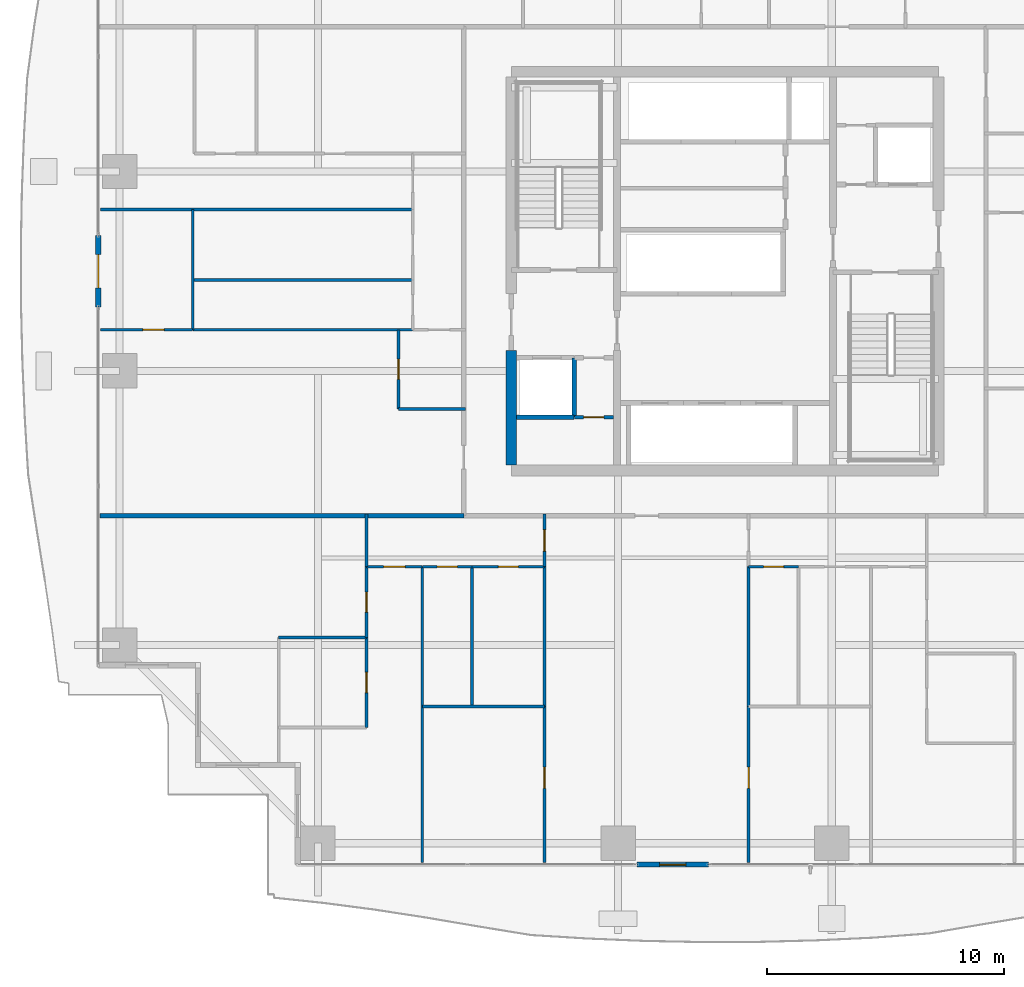
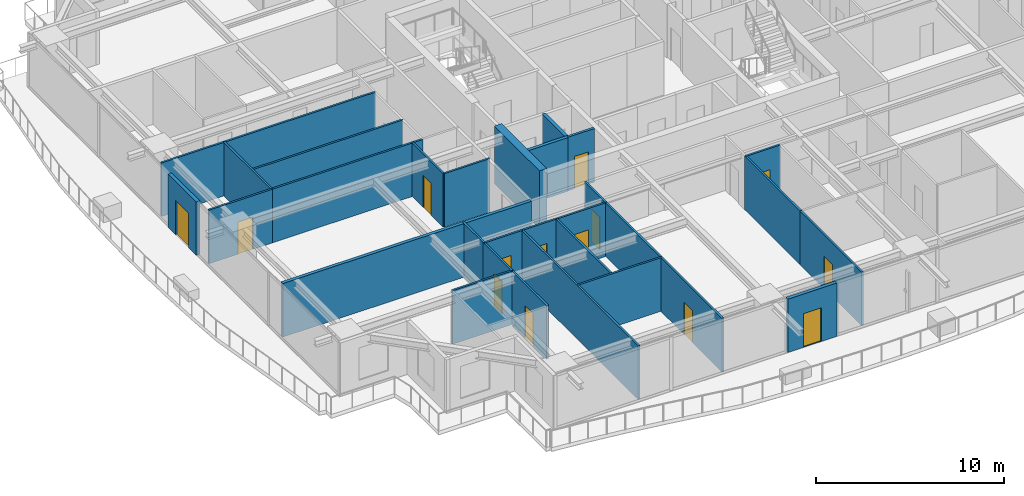
# One storey, part 27 of 41: 30 walls, 14 doors, 14 openings.
"""IFC4 building model written with IfcOpenShell, lengths in metres."""

import ifcopenshell
import ifcopenshell.guid

model = None  # the IFC model being written
_history = None  # IfcOwnerHistory: only IFC2X3 demands one
_inside = {}  # id of a spatial element -> (the spatial element, [elements in it])
_under = {}  # id of a project, library or spatial element -> (it, [spatial elements below it])
_declared = {}  # id of a project -> (the project, [libraries it declares])
_typed = {}  # id of a type object -> (the type object, [elements of that type])
_made_of = {}  # id of a material, layer set ... -> (it, [elements and type objects made of it])


def new_model(schema):
    """Start an empty IFC model of exactly this schema.

    Asked for "IFC4X3", IfcOpenShell would pick the latest addendum, in which some entities
    have other attributes; the version numbers below select the first issue.
    IFC2X3 requires an IfcOwnerHistory on every rooted entity: one is made here for all.
    """
    global model, _history
    if schema == "IFC4X3":
        model = ifcopenshell.file(schema_version=(4, 3, 0, 0))
    else:
        model = ifcopenshell.file(schema=schema)
    _inside.clear()
    _under.clear()
    _declared.clear()
    _typed.clear()
    _made_of.clear()
    _history = None
    if model.schema == "IFC2X3":
        org = make("IfcOrganization", Name="unknown")
        user = make(
            "IfcPersonAndOrganization",
            ThePerson=make("IfcPerson", FamilyName="unknown"),
            TheOrganization=org,
        )
        app = make(
            "IfcApplication",
            ApplicationDeveloper=org,
            Version="unknown",
            ApplicationFullName="unknown",
            ApplicationIdentifier="unknown",
        )
        _history = make(
            "IfcOwnerHistory",
            OwningUser=user,
            OwningApplication=app,
            ChangeAction="ADDED",
            CreationDate=0,
        )
    return model


def make(cls, **values):
    """One entity of the class cls with the attributes given. An attribute that is None is left unset."""
    return model.create_entity(
        cls, **{name: value for name, value in values.items() if value is not None}
    )


def rooted(cls, **values):
    """An entity with a GlobalId (a new one), such as an element, a storey or a relation."""
    return make(cls, GlobalId=ifcopenshell.guid.new(), OwnerHistory=_history, **values)


def si_unit(unit_type, name, prefix=None):
    """IfcSIUnit, for example si_unit("LENGTHUNIT", "METRE", prefix="MILLI")."""
    return make("IfcSIUnit", UnitType=unit_type, Prefix=prefix, Name=name)


def assignment(units):
    """IfcUnitAssignment: the units of a project."""
    return None if units is None else make("IfcUnitAssignment", Units=units)


def point(xyz):
    """IfcCartesianPoint."""
    return None if xyz is None else make("IfcCartesianPoint", Coordinates=xyz)


def direction(xyz):
    """IfcDirection."""
    return None if xyz is None else make("IfcDirection", DirectionRatios=xyz)


def frame(location, z_axis=None, x_axis=None):
    """IfcAxis2Placement3D, a coordinate frame: its origin and axes. An axis left out is left unset."""
    return make(
        "IfcAxis2Placement3D",
        Location=point(location),
        Axis=direction(z_axis),
        RefDirection=direction(x_axis),
    )


def frame_2d(location, x_axis=None):
    """IfcAxis2Placement2D, a coordinate frame in the plane: its origin and x axis."""
    return make(
        "IfcAxis2Placement2D", Location=point(location), RefDirection=direction(x_axis)
    )


def origin():
    """The frame at (0, 0, 0) with its axes left unset."""
    return frame((0.0, 0.0, 0.0))


def place(relative_to, where):
    """IfcLocalPlacement: puts the frame where relative to a parent placement (None: the world)."""
    return make(
        "IfcLocalPlacement", PlacementRelTo=relative_to, RelativePlacement=where
    )


def context(
    kind, dimensions, precision=None, world=None, true_north=None, identifier=None
):
    """IfcGeometricRepresentationContext, for example the 3D "Model" context."""
    return make(
        "IfcGeometricRepresentationContext",
        ContextIdentifier=identifier,
        ContextType=kind,
        CoordinateSpaceDimension=dimensions,
        Precision=precision,
        WorldCoordinateSystem=world,
        TrueNorth=true_north,
    )


def subcontext(parent, identifier, kind, view, scale=None):
    """IfcGeometricRepresentationSubContext, for example "Body" below "Model"."""
    return make(
        "IfcGeometricRepresentationSubContext",
        ContextIdentifier=identifier,
        ContextType=kind,
        ParentContext=parent,
        TargetScale=scale,
        TargetView=view,
    )


def project(units=None, contexts=None):
    """IfcProject with its units and contexts."""
    return rooted(
        "IfcProject",
        Name="project",
        RepresentationContexts=contexts,
        UnitsInContext=assignment(units),
    )


def spatial(cls, under=None, at=None, **own):
    """A site, building, storey or space (cls), placed at a placement, below another one or the project."""
    s = rooted(cls, ObjectPlacement=at, **own)
    if under is not None:
        _under.setdefault(under.id(), (under, []))[1].append(s)
    return s


def profile(cls, at=None, kind="AREA", **sizes):
    """A parametric profile (cls). Its sizes go by their IFC names, for example OverallWidth=200.0."""
    return make(cls, ProfileType=kind, Position=at, **sizes)


def rectangle(**sizes):
    """IfcRectangleProfileDef."""
    return profile("IfcRectangleProfileDef", **sizes)


def extrude(swept, where, along, depth):
    """IfcExtrudedAreaSolid: the profile swept, set in the frame where, extruded along a direction by depth."""
    return make(
        "IfcExtrudedAreaSolid",
        SweptArea=swept,
        Position=where,
        ExtrudedDirection=direction(along),
        Depth=depth,
    )


def shape(context_of_items, identifier, shape_type, items):
    """IfcShapeRepresentation: the items that make up one representation, for example the "Body"."""
    return make(
        "IfcShapeRepresentation",
        ContextOfItems=context_of_items,
        RepresentationIdentifier=identifier,
        RepresentationType=shape_type,
        Items=items,
    )


def source(mapping_origin, context_of_items, identifier, shape_type, items):
    """IfcRepresentationMap: a shape defined once, which mapped items show again and again."""
    return make(
        "IfcRepresentationMap",
        MappingOrigin=mapping_origin,
        MappedRepresentation=shape(context_of_items, identifier, shape_type, items),
    )


def transform(
    local_origin,
    x_axis=None,
    y_axis=None,
    z_axis=None,
    scale=None,
    scale2=None,
    scale3=None,
    uniform=True,
):
    """IfcCartesianTransformationOperator3D, or its non-uniform kind. x_axis, y_axis, z_axis: its Axis1, 2, 3."""
    if uniform:
        return make(
            "IfcCartesianTransformationOperator3D",
            Axis1=direction(x_axis),
            Axis2=direction(y_axis),
            LocalOrigin=point(local_origin),
            Scale=scale,
            Axis3=direction(z_axis),
        )
    return make(
        "IfcCartesianTransformationOperator3DnonUniform",
        Axis1=direction(x_axis),
        Axis2=direction(y_axis),
        LocalOrigin=point(local_origin),
        Scale=scale,
        Axis3=direction(z_axis),
        Scale2=scale2,
        Scale3=scale3,
    )


def mapped(mapping_source, mapping_target):
    """IfcMappedItem: shows the shape of a source again, moved by a transform."""
    return make(
        "IfcMappedItem", MappingSource=mapping_source, MappingTarget=mapping_target
    )


def material(Name=None, Category=None):
    """IfcMaterial."""
    return make("IfcMaterial", Name=Name, Category=Category)


def layer(
    of_material, thickness, ventilated=None, Name=None, Category=None, Priority=None
):
    """IfcMaterialLayer: one layer of a wall or slab, of a material (None: an air gap)."""
    return make(
        "IfcMaterialLayer",
        Material=of_material,
        LayerThickness=thickness,
        IsVentilated=ventilated,
        Name=Name,
        Category=Category,
        Priority=Priority,
    )


def layer_set(layers, Name=None):
    """IfcMaterialLayerSet."""
    return make("IfcMaterialLayerSet", MaterialLayers=layers, LayerSetName=Name)


def made_of(thing, what):
    """Note that an element or type object is made of a material, layer set ...; save() writes the relation."""
    if what is not None:
        _made_of.setdefault(what.id(), (what, []))[1].append(thing)
    return thing


def type_object(cls, material=None, **own):
    """A type object (cls), such as IfcWallType, which elements share."""
    return made_of(rooted(cls, **own), material)


def element(
    cls,
    number,
    at=None,
    inside=None,
    cuts=None,
    type_object=None,
    material=None,
    context=None,
    identifier="Body",
    shape_type=None,
    held_by="IfcProductDefinitionShape",
    body=None,
    shapes=None,
    **own,
):
    """One element of the class cls, such as IfcWall. Its Tag is "e" and its number.

    at: its placement. inside: the storey or other place that contains it. cuts: it is an
    opening in that element (IfcRelVoidsElement). A single representation is given by context,
    identifier, shape_type and body (its items); several are given by shapes. held_by: the class
    of the entity that holds the representations. save() writes the other relations.
    """
    e = rooted(cls, Tag="e%d" % number, ObjectPlacement=at, **own)
    if body is not None:
        shapes = [shape(context, identifier, shape_type, body)]
    if shapes is not None:
        e.Representation = make(held_by, Representations=shapes)
    if inside is not None:
        _inside.setdefault(inside.id(), (inside, []))[1].append(e)
    if cuts is not None:
        rooted(
            "IfcRelVoidsElement", RelatingBuildingElement=cuts, RelatedOpeningElement=e
        )
    if type_object is not None:
        _typed.setdefault(type_object.id(), (type_object, []))[1].append(e)
    return made_of(e, material)


def fill(opening, filler):
    """IfcRelFillsElement: the door or window that sits in an opening."""
    return rooted(
        "IfcRelFillsElement",
        RelatingOpeningElement=opening,
        RelatedBuildingElement=filler,
    )


def aggregate(whole, parts):
    """IfcRelAggregates: a whole, such as a stair, and the parts it consists of."""
    return rooted("IfcRelAggregates", RelatingObject=whole, RelatedObjects=parts)


def save(model, path):
    """Write the relations noted so far, then the file.

    IfcRelAggregates (storeys below a building ...), IfcRelContainedInSpatialStructure (elements
    in a storey), IfcRelDefinesByType, IfcRelAssociatesMaterial and IfcRelDeclares: one each for
    every whole, place, type object, material and project.
    """
    for whole, parts in _under.values():
        aggregate(whole, parts)
    for where, things in _inside.values():
        rooted(
            "IfcRelContainedInSpatialStructure",
            RelatedElements=things,
            RelatingStructure=where,
        )
    for kind, things in _typed.values():
        rooted("IfcRelDefinesByType", RelatedObjects=things, RelatingType=kind)
    for what, things in _made_of.values():
        rooted("IfcRelAssociatesMaterial", RelatedObjects=things, RelatingMaterial=what)
    for by, libraries in _declared.values():
        rooted("IfcRelDeclares", RelatingContext=by, RelatedDefinitions=libraries)
    model.write(path)


model = new_model("IFC4")

# Units and contexts
model_context = context("Model", 3, precision=1e-05, world=origin(), true_north=direction((0.0, 1.0)))
body_context = subcontext(model_context, "Body", "Model", "MODEL_VIEW")
ifc_project = project(units=[si_unit("LENGTHUNIT", "METRE"), si_unit("AREAUNIT", "SQUARE_METRE"), si_unit("VOLUMEUNIT", "CUBIC_METRE"), si_unit("PLANEANGLEUNIT", "RADIAN"), si_unit("MASSUNIT", "GRAM", prefix="KILO")], contexts=[model_context])

# Site, building, storey
site_placement = place(None, origin())
site = spatial("IfcSite", under=ifc_project, at=site_placement, CompositionType="ELEMENT")
building_placement = place(site_placement, origin())
building = spatial("IfcBuilding", under=site, at=building_placement, Name="Serunith Strait Residences", CompositionType="ELEMENT")
storey_placement = place(building_placement, frame((0.0, 0.0, 75.449951171875)))
storey = spatial("IfcBuildingStorey", under=building, at=storey_placement, Name="L18", CompositionType="ELEMENT", Elevation=75.449951171875)

# Wall, opening, door
ifc_material_1 = material(Name="Pale-Champagne Aluminium Insulated Panel", Category="aluminium")
ifc_layer_1 = layer(ifc_material_1, 0.219970703125, Name="Pale-Champagne Aluminium Insulated Panel")
ifc_layer_set_1 = layer_set([ifc_layer_1], Name="Pale-Champagne Aluminium Insulated Panel")
wall_type_1 = type_object("IfcWallType", Name="EW-ALUM-220", PredefinedType="ELEMENTEDWALL", material=ifc_layer_set_1)
wall_1_placement = place(storey_placement, frame((28.699951171875, 0.199951171875, 0.0), z_axis=(0.0, 0.0, 1.0), x_axis=(1.0, 0.0, 0.0)))
wall_1 = element("IfcWall", 1, at=wall_1_placement, inside=storey, type_object=wall_type_1, Name="L18 S Facade Pier Wall", PredefinedType="ELEMENTEDWALL", context=body_context, shape_type="SweptSolid", body=[
    extrude(rectangle(XDim=3.0, YDim=0.219970703125, at=frame_2d((1.5, 0.0))), origin(), (0.0, 0.0, 1.0), 3.47509765625),
])
opening_1_placement = place(wall_1_placement, frame((0.949951171875, 0.0, 0.0)))
opening_1 = element("IfcOpeningElement", 2, at=opening_1_placement, cuts=wall_1, Name="Opening ED-03", PredefinedType="OPENING", context=body_context, shape_type="SweptSolid", body=[
    extrude(rectangle(XDim=1.10009765625, YDim=2.199951171875, at=frame_2d((0.550048828125, 1.10009765625))), frame((0.0, 0.1201171875, 0.0), z_axis=(0.0, -1.0, 0.0), x_axis=(1.0, 0.0, 0.0)), (0.0, 0.0, 1.0), 0.239990234375),
])
ifc_material_2 = material(Name="Thermally-Broken Aluminium Glazed Balcony Door", Category="aluminium")
door_type_1 = type_object("IfcDoorType", Name="ED-BALC-1100", OperationType="NOTDEFINED", PredefinedType="DOOR", material=ifc_material_2)
shared_shape_1 = source(origin(), body_context, "Body", "SweptSolid", [
    extrude(rectangle(XDim=1.10009765625, YDim=2.199951171875, at=frame_2d((0.550048828125, 1.10009765625))), frame((0.0, 0.02490234375, 0.0), z_axis=(0.0, -1.0, 0.0), x_axis=(1.0, 0.0, 0.0)), (0.0, 0.0, 1.0), 0.050048828125),
])
door_1_placement = place(opening_1_placement, origin())
door_1 = element("IfcDoor", 3, at=door_1_placement, inside=storey, type_object=door_type_1, Name="L18 S Vertical-Forest Balcony Door", OperationType="SINGLE_SWING_LEFT", OverallHeight=2.199951171875, OverallWidth=1.10009765625, PredefinedType="DOOR", context=body_context, shape_type="MappedRepresentation", body=[
    mapped(shared_shape_1, transform((0.0, 0.0, 0.0), scale=1.0)),
])
fill(opening_1, door_1)

wall_2_placement = place(storey_placement, frame((6.0, 26.699951171875, 0.0), z_axis=(0.0, 0.0, 1.0), x_axis=(0.0, -1.0, 0.0)))
wall_2 = element("IfcWall", 4, at=wall_2_placement, inside=storey, type_object=wall_type_1, Name="L18 W Facade Pier Wall", PredefinedType="ELEMENTEDWALL", context=body_context, shape_type="SweptSolid", body=[
    extrude(rectangle(XDim=3.0, YDim=0.219970703125, at=frame_2d((1.5, 0.0))), origin(), (0.0, 0.0, 1.0), 3.47509765625),
])
opening_2_placement = place(wall_2_placement, frame((0.800048828125, 0.0, 0.0)))
opening_2 = element("IfcOpeningElement", 5, at=opening_2_placement, cuts=wall_2, Name="Opening ED-04", PredefinedType="OPENING", context=body_context, shape_type="SweptSolid", body=[
    extrude(rectangle(XDim=1.39990234375, YDim=2.25, at=frame_2d((0.699951171875, 1.125))), frame((0.0, 0.1201171875, 0.0), z_axis=(0.0, -1.0, 0.0), x_axis=(1.0, 0.0, 0.0)), (0.0, 0.0, 1.0), 0.239990234375),
])
ifc_material_3 = material(Name="Thermally-Broken Aluminium Sliding Balcony Door", Category="aluminium")
door_type_2 = type_object("IfcDoorType", Name="ED-BALC-1400", OperationType="NOTDEFINED", PredefinedType="DOOR", material=ifc_material_3)
shared_shape_2 = source(origin(), body_context, "Body", "SweptSolid", [
    extrude(rectangle(XDim=1.39990234375, YDim=2.25, at=frame_2d((0.699951171875, 1.125))), frame((0.0, 0.02490234375, 0.0), z_axis=(0.0, -1.0, 0.0), x_axis=(1.0, 0.0, 0.0)), (0.0, 0.0, 1.0), 0.050048828125),
])
door_2_placement = place(opening_2_placement, origin())
door_2 = element("IfcDoor", 6, at=door_2_placement, inside=storey, type_object=door_type_2, Name="L18 W Vertical-Forest Balcony Door", OperationType="SLIDING_TO_LEFT", OverallHeight=2.25, OverallWidth=1.39990234375, PredefinedType="DOOR", context=body_context, shape_type="MappedRepresentation", body=[
    mapped(shared_shape_2, transform((0.0, 0.0, 0.0), scale=1.0)),
])
fill(opening_2, door_2)

ifc_material_4 = material(Name="Fire-rated masonry service closet wall", Category="masonry")
ifc_layer_2 = layer(ifc_material_4, 0.14990234375, Name="Fire-rated masonry service closet wall")
ifc_layer_set_2 = layer_set([ifc_layer_2], Name="Fire-rated masonry service closet wall")
wall_type_2 = type_object("IfcWallType", Name="IW-BOH-150", PredefinedType="PARTITIONING", material=ifc_layer_set_2)
wall_3_placement = place(storey_placement, frame((26.052001953125, 19.050048828125, 0.0), z_axis=(0.0, 0.0, 1.0), x_axis=(1.0, 0.0, 0.0)))
wall_3 = element("IfcWall", 7, at=wall_3_placement, inside=storey, type_object=wall_type_2, Name="L18 Partition Wall 012", PredefinedType="PARTITIONING", context=body_context, shape_type="SweptSolid", body=[
    extrude(rectangle(XDim=1.64794921875, YDim=0.14990234375, at=frame_2d((0.823974609375, 0.0))), origin(), (0.0, 0.0, 1.0), 3.489990234375),
])
opening_3_placement = place(wall_3_placement, frame((0.39892578125, 0.0, 0.0)))
opening_3 = element("IfcOpeningElement", 8, at=opening_3_placement, cuts=wall_3, Name="Opening FD-850", PredefinedType="OPENING", context=body_context, shape_type="SweptSolid", body=[
    extrude(rectangle(XDim=0.85009765625, YDim=2.10009765625, at=frame_2d((0.425048828125, 1.050048828125))), frame((0.0, 0.0849609375, 0.0), z_axis=(0.0, -1.0, 0.0), x_axis=(1.0, 0.0, 0.0)), (0.0, 0.0, 1.0), 0.169921875),
])
ifc_material_5 = material(Name="Powder-coated steel service closet door", Category="steel")
door_type_3 = type_object("IfcDoorType", Name="FD-BOH-850", OperationType="NOTDEFINED", PredefinedType="DOOR", material=ifc_material_5)
shared_shape_3 = source(origin(), body_context, "Body", "SweptSolid", [
    extrude(rectangle(XDim=0.85009765625, YDim=2.10009765625, at=frame_2d((0.425048828125, 1.050048828125))), frame((0.0, 0.02490234375, 0.0), z_axis=(0.0, -1.0, 0.0), x_axis=(1.0, 0.0, 0.0)), (0.0, 0.0, 1.0), 0.050048828125),
])
door_3_placement = place(opening_3_placement, origin())
door_3 = element("IfcDoor", 9, at=door_3_placement, inside=storey, type_object=door_type_3, Name="L18 Water Meter Door", OperationType="SINGLE_SWING_RIGHT", OverallHeight=2.10009765625, OverallWidth=0.85009765625, PredefinedType="DOOR", context=body_context, shape_type="MappedRepresentation", body=[
    mapped(shared_shape_3, transform((0.0, 0.0, 0.0), scale=1.0)),
])
fill(opening_3, door_3)

ifc_material_6 = material(Name="Lightweight steel-stud gypsum partition", Category="steel")
ifc_layer_3 = layer(ifc_material_6, 0.1201171875, Name="Lightweight steel-stud gypsum partition")
ifc_layer_set_3 = layer_set([ifc_layer_3], Name="Lightweight steel-stud gypsum partition")
wall_type_3 = type_object("IfcWallType", Name="IW-PART-120", PredefinedType="PARTITIONING", material=ifc_layer_set_3)
wall_4_placement = place(storey_placement, frame((24.800048828125, 12.75, 0.0), z_axis=(0.0, 0.0, 1.0), x_axis=(0.0, 1.0, 0.0)))
wall_4 = element("IfcWall", 10, at=wall_4_placement, inside=storey, type_object=wall_type_3, Name="L18 Partition Wall 025", PredefinedType="PARTITIONING", context=body_context, shape_type="SweptSolid", body=[
    extrude(rectangle(XDim=2.2099609375, YDim=0.1201171875, at=frame_2d((1.10498046875, 0.0))), origin(), (0.0, 0.0, 1.0), 3.489990234375),
])
opening_4_placement = place(wall_4_placement, frame((0.655029296875, 0.0, 0.0)))
opening_4 = element("IfcOpeningElement", 11, at=opening_4_placement, cuts=wall_4, Name="Opening D-RM900", PredefinedType="OPENING", context=body_context, shape_type="SweptSolid", body=[
    extrude(rectangle(XDim=0.89990234375, YDim=2.10009765625, at=frame_2d((0.449951171875, 1.050048828125))), frame((0.0, 0.070068359375, 0.0), z_axis=(0.0, -1.0, 0.0), x_axis=(1.0, 0.0, 0.0)), (0.0, 0.0, 1.0), 0.14013671875),
])
ifc_material_7 = material(Name="Engineered timber flush bedroom door", Category="wood")
door_type_4 = type_object("IfcDoorType", Name="ID-ROOM-900", OperationType="NOTDEFINED", PredefinedType="DOOR", material=ifc_material_7)
shared_shape_4 = source(origin(), body_context, "Body", "SweptSolid", [
    extrude(rectangle(XDim=0.89990234375, YDim=2.10009765625, at=frame_2d((0.449951171875, 1.050048828125))), frame((0.0, 0.02490234375, 0.0), z_axis=(0.0, -1.0, 0.0), x_axis=(1.0, 0.0, 0.0)), (0.0, 0.0, 1.0), 0.050048828125),
])
door_4_placement = place(opening_4_placement, origin())
door_4 = element("IfcDoor", 12, at=door_4_placement, inside=storey, type_object=door_type_4, Name="L18 Hall W 1801 Door", OperationType="SINGLE_SWING_RIGHT", OverallHeight=2.10009765625, OverallWidth=0.89990234375, PredefinedType="DOOR", context=body_context, shape_type="MappedRepresentation", body=[
    mapped(shared_shape_4, transform((0.0, 0.0, 0.0), scale=1.0)),
])
fill(opening_4, door_4)

wall_5_placement = place(storey_placement, frame((24.800048828125, 0.294921875, 0.0), z_axis=(0.0, 0.0, 1.0), x_axis=(0.0, 1.0, 0.0)))
wall_5 = element("IfcWall", 13, at=wall_5_placement, inside=storey, type_object=wall_type_3, Name="L18 Partition Wall 026", PredefinedType="PARTITIONING", context=body_context, shape_type="SweptSolid", body=[
    extrude(rectangle(XDim=6.565185546875, YDim=0.1201171875, at=frame_2d((3.28271484375, 0.0))), origin(), (0.0, 0.0, 1.0), 3.489990234375),
])
opening_5_placement = place(wall_5_placement, frame((3.115966796875, 0.0, 0.0)))
opening_5 = element("IfcOpeningElement", 14, at=opening_5_placement, cuts=wall_5, Name="Opening D-RM900", PredefinedType="OPENING", context=body_context, shape_type="SweptSolid", body=[
    extrude(rectangle(XDim=0.89990234375, YDim=2.10009765625, at=frame_2d((0.449951171875, 1.050048828125))), frame((0.0, 0.070068359375, 0.0), z_axis=(0.0, -1.0, 0.0), x_axis=(1.0, 0.0, 0.0)), (0.0, 0.0, 1.0), 0.14013671875),
])
door_5_placement = place(opening_5_placement, origin())
door_5 = element("IfcDoor", 15, at=door_5_placement, inside=storey, type_object=door_type_4, Name="L18 Formal Dining Room 1 1801 Door", OperationType="SINGLE_SWING_LEFT", OverallHeight=2.10009765625, OverallWidth=0.89990234375, PredefinedType="DOOR", context=body_context, shape_type="MappedRepresentation", body=[
    mapped(shared_shape_4, transform((0.0, 0.0, 0.0), scale=1.0)),
])
fill(opening_5, door_5)

# Walls
wall_6_placement = place(storey_placement, frame((24.800048828125, 6.862060546875, 0.0), z_axis=(0.0, 0.0, 1.0), x_axis=(0.0, 1.0, 0.0)))
element("IfcWall", 16, at=wall_6_placement, inside=storey, type_object=wall_type_3, Name="L18 Partition Wall 027", PredefinedType="PARTITIONING", context=body_context, shape_type="SweptSolid", body=[
    extrude(rectangle(XDim=5.885986328125, YDim=0.1201171875, at=frame_2d((2.94287109375, 0.0))), origin(), (0.0, 0.0, 1.0), 3.489990234375),
])
wall_7_placement = place(storey_placement, frame((19.64990234375, 6.860107421875, 0.0), z_axis=(0.0, 0.0, 1.0), x_axis=(1.0, 0.0, 0.0)))
element("IfcWall", 17, at=wall_7_placement, inside=storey, type_object=wall_type_3, Name="L18 Partition Wall 028", PredefinedType="PARTITIONING", context=body_context, shape_type="SweptSolid", body=[
    extrude(rectangle(XDim=5.150146484375, YDim=0.1201171875, at=frame_2d((2.5751953125, 0.0))), origin(), (0.0, 0.0, 1.0), 3.489990234375),
])
wall_8_placement = place(storey_placement, frame((19.64990234375, 0.294921875, 0.0), z_axis=(0.0, 0.0, 1.0), x_axis=(0.0, 1.0, 0.0)))
element("IfcWall", 18, at=wall_8_placement, inside=storey, type_object=wall_type_3, Name="L18 Partition Wall 029", PredefinedType="PARTITIONING", context=body_context, shape_type="SweptSolid", body=[
    extrude(rectangle(XDim=12.455078125, YDim=0.1201171875, at=frame_2d((6.2275390625, 0.0))), origin(), (0.0, 0.0, 1.0), 3.489990234375),
])
wall_9_placement = place(storey_placement, frame((21.75, 6.860107421875, 0.0), z_axis=(0.0, 0.0, 1.0), x_axis=(0.0, 1.0, 0.0)))
element("IfcWall", 19, at=wall_9_placement, inside=storey, type_object=wall_type_3, Name="L18 Partition Wall 030", PredefinedType="PARTITIONING", context=body_context, shape_type="SweptSolid", body=[
    extrude(rectangle(XDim=5.889892578125, YDim=0.1201171875, at=frame_2d((2.94482421875, 0.0))), origin(), (0.0, 0.0, 1.0), 3.489990234375),
])

# Wall, opening, door
wall_10_placement = place(storey_placement, frame((19.64990234375, 12.75, 0.0), z_axis=(0.0, 0.0, 1.0), x_axis=(1.0, 0.0, 0.0)))
wall_10 = element("IfcWall", 20, at=wall_10_placement, inside=storey, type_object=wall_type_3, Name="L18 Partition Wall 031", PredefinedType="PARTITIONING", context=body_context, shape_type="SweptSolid", body=[
    extrude(rectangle(XDim=2.10009765625, YDim=0.1201171875, at=frame_2d((1.050048828125, 0.0))), origin(), (0.0, 0.0, 1.0), 3.489990234375),
])
opening_6_placement = place(wall_10_placement, frame((0.625, 0.0, 0.0)))
opening_6 = element("IfcOpeningElement", 21, at=opening_6_placement, cuts=wall_10, Name="Opening D-BTH850", PredefinedType="OPENING", context=body_context, shape_type="SweptSolid", body=[
    extrude(rectangle(XDim=0.85009765625, YDim=2.10009765625, at=frame_2d((0.425048828125, 1.050048828125))), frame((0.0, 0.070068359375, 0.0), z_axis=(0.0, -1.0, 0.0), x_axis=(1.0, 0.0, 0.0)), (0.0, 0.0, 1.0), 0.14013671875),
])
ifc_material_8 = material(Name="Moisture-resistant timber bathroom door", Category="wood")
door_type_5 = type_object("IfcDoorType", Name="ID-BATH-850", OperationType="NOTDEFINED", PredefinedType="DOOR", material=ifc_material_8)
door_6_placement = place(opening_6_placement, origin())
door_6 = element("IfcDoor", 22, at=door_6_placement, inside=storey, type_object=door_type_5, Name="L18 Bathroom 1801 Door", OperationType="SINGLE_SWING_RIGHT", OverallHeight=2.10009765625, OverallWidth=0.85009765625, PredefinedType="DOOR", context=body_context, shape_type="MappedRepresentation", body=[
    mapped(shared_shape_3, transform((0.0, 0.0, 0.0), scale=1.0)),
])
fill(opening_6, door_6)

wall_11_placement = place(storey_placement, frame((21.751953125, 12.75, 0.0), z_axis=(0.0, 0.0, 1.0), x_axis=(1.0, 0.0, 0.0)))
wall_11 = element("IfcWall", 23, at=wall_11_placement, inside=storey, type_object=wall_type_3, Name="L18 Partition Wall 032", PredefinedType="PARTITIONING", context=body_context, shape_type="SweptSolid", body=[
    extrude(rectangle(XDim=3.048095703125, YDim=0.1201171875, at=frame_2d((1.52392578125, 0.0))), origin(), (0.0, 0.0, 1.0), 3.489990234375),
])
opening_7_placement = place(wall_11_placement, frame((1.09912109375, 0.0, 0.0)))
opening_7 = element("IfcOpeningElement", 24, at=opening_7_placement, cuts=wall_11, Name="Opening D-RM850", PredefinedType="OPENING", context=body_context, shape_type="SweptSolid", body=[
    extrude(rectangle(XDim=0.85009765625, YDim=2.10009765625, at=frame_2d((0.425048828125, 1.050048828125))), frame((0.0, 0.070068359375, 0.0), z_axis=(0.0, -1.0, 0.0), x_axis=(1.0, 0.0, 0.0)), (0.0, 0.0, 1.0), 0.14013671875),
])
ifc_material_9 = material(Name="Engineered timber flush study and kitchen door", Category="wood")
door_type_6 = type_object("IfcDoorType", Name="ID-ROOM-850", OperationType="NOTDEFINED", PredefinedType="DOOR", material=ifc_material_9)
door_7_placement = place(opening_7_placement, origin())
door_7 = element("IfcDoor", 25, at=door_7_placement, inside=storey, type_object=door_type_6, Name="L18 Kitchen 1801 Door", OperationType="SINGLE_SWING_LEFT", OverallHeight=2.10009765625, OverallWidth=0.85009765625, PredefinedType="DOOR", context=body_context, shape_type="MappedRepresentation", body=[
    mapped(shared_shape_3, transform((0.0, 0.0, 0.0), scale=1.0)),
])
fill(opening_7, door_7)

wall_12_placement = place(storey_placement, frame((17.300048828125, 12.75, 0.0), z_axis=(0.0, 0.0, 1.0), x_axis=(1.0, 0.0, 0.0)))
wall_12 = element("IfcWall", 26, at=wall_12_placement, inside=storey, type_object=wall_type_3, Name="L18 Partition Wall 033", PredefinedType="PARTITIONING", context=body_context, shape_type="SweptSolid", body=[
    extrude(rectangle(XDim=2.347900390625, YDim=0.1201171875, at=frame_2d((1.173828125, 0.0))), origin(), (0.0, 0.0, 1.0), 3.489990234375),
])
opening_8_placement = place(wall_12_placement, frame((0.72412109375, 0.0, 0.0)))
opening_8 = element("IfcOpeningElement", 27, at=opening_8_placement, cuts=wall_12, Name="Opening D-RM900", PredefinedType="OPENING", context=body_context, shape_type="SweptSolid", body=[
    extrude(rectangle(XDim=0.89990234375, YDim=2.10009765625, at=frame_2d((0.449951171875, 1.050048828125))), frame((0.0, 0.070068359375, 0.0), z_axis=(0.0, -1.0, 0.0), x_axis=(1.0, 0.0, 0.0)), (0.0, 0.0, 1.0), 0.14013671875),
])
door_8_placement = place(opening_8_placement, origin())
door_8 = element("IfcDoor", 28, at=door_8_placement, inside=storey, type_object=door_type_4, Name="L18 Master Bedroom W 1801 Door", OperationType="SINGLE_SWING_RIGHT", OverallHeight=2.10009765625, OverallWidth=0.89990234375, PredefinedType="DOOR", context=body_context, shape_type="MappedRepresentation", body=[
    mapped(shared_shape_4, transform((0.0, 0.0, 0.0), scale=1.0)),
])
fill(opening_8, door_8)

# Wall
wall_13_placement = place(storey_placement, frame((13.60009765625, 9.761962890625, 0.0), z_axis=(0.0, 0.0, 1.0), x_axis=(1.0, 0.0, 0.0)))
element("IfcWall", 29, at=wall_13_placement, inside=storey, type_object=wall_type_3, Name="L18 Partition Wall 036", PredefinedType="PARTITIONING", context=body_context, shape_type="SweptSolid", body=[
    extrude(rectangle(XDim=3.699951171875, YDim=0.1201171875, at=frame_2d((1.85009765625, 0.0))), origin(), (0.0, 0.0, 1.0), 3.489990234375),
])

# Wall, opening, door
wall_14_placement = place(storey_placement, frame((17.300048828125, 5.97802734375, 0.0), z_axis=(0.0, 0.0, 1.0), x_axis=(0.0, 1.0, 0.0)))
wall_14 = element("IfcWall", 30, at=wall_14_placement, inside=storey, type_object=wall_type_3, Name="L18 Partition Wall 037", PredefinedType="PARTITIONING", context=body_context, shape_type="SweptSolid", body=[
    extrude(rectangle(XDim=3.783935546875, YDim=0.1201171875, at=frame_2d((1.89208984375, 0.0))), origin(), (0.0, 0.0, 1.0), 3.489990234375),
])
opening_9_placement = place(wall_14_placement, frame((1.467041015625, 0.0, 0.0)))
opening_9 = element("IfcOpeningElement", 31, at=opening_9_placement, cuts=wall_14, Name="Opening D-BTH850", PredefinedType="OPENING", context=body_context, shape_type="SweptSolid", body=[
    extrude(rectangle(XDim=0.85009765625, YDim=2.10009765625, at=frame_2d((0.425048828125, 1.050048828125))), frame((0.0, 0.070068359375, 0.0), z_axis=(0.0, -1.0, 0.0), x_axis=(1.0, 0.0, 0.0)), (0.0, 0.0, 1.0), 0.14013671875),
])
door_9_placement = place(opening_9_placement, origin())
door_9 = element("IfcDoor", 32, at=door_9_placement, inside=storey, type_object=door_type_5, Name="L18 En-suite Bathroom W 1801 Door", OperationType="SINGLE_SWING_LEFT", OverallHeight=2.10009765625, OverallWidth=0.85009765625, PredefinedType="DOOR", context=body_context, shape_type="MappedRepresentation", body=[
    mapped(shared_shape_3, transform((0.0, 0.0, 0.0), scale=1.0)),
])
fill(opening_9, door_9)

wall_15_placement = place(storey_placement, frame((17.300048828125, 9.763916015625, 0.0), z_axis=(0.0, 0.0, 1.0), x_axis=(0.0, 1.0, 0.0)))
wall_15 = element("IfcWall", 33, at=wall_15_placement, inside=storey, type_object=wall_type_3, Name="L18 Partition Wall 038", PredefinedType="PARTITIONING", context=body_context, shape_type="SweptSolid", body=[
    extrude(rectangle(XDim=2.986083984375, YDim=0.1201171875, at=frame_2d((1.4931640625, 0.0))), origin(), (0.0, 0.0, 1.0), 3.489990234375),
])
opening_10_placement = place(wall_15_placement, frame((1.068115234375, 0.0, 0.0)))
opening_10 = element("IfcOpeningElement", 34, at=opening_10_placement, cuts=wall_15, Name="Opening D-RM850", PredefinedType="OPENING", context=body_context, shape_type="SweptSolid", body=[
    extrude(rectangle(XDim=0.85009765625, YDim=2.10009765625, at=frame_2d((0.425048828125, 1.050048828125))), frame((0.0, 0.070068359375, 0.0), z_axis=(0.0, -1.0, 0.0), x_axis=(1.0, 0.0, 0.0)), (0.0, 0.0, 1.0), 0.14013671875),
])
door_10_placement = place(opening_10_placement, origin())
door_10 = element("IfcDoor", 35, at=door_10_placement, inside=storey, type_object=door_type_6, Name="L18 Wardrobe W 1801 Door", OperationType="SINGLE_SWING_RIGHT", OverallHeight=2.10009765625, OverallWidth=0.85009765625, PredefinedType="DOOR", context=body_context, shape_type="MappedRepresentation", body=[
    mapped(shared_shape_3, transform((0.0, 0.0, 0.0), scale=1.0)),
])
fill(opening_10, door_10)

# Wall
wall_16_placement = place(storey_placement, frame((17.300048828125, 12.751953125, 0.0), z_axis=(0.0, 0.0, 1.0), x_axis=(0.0, 1.0, 0.0)))
element("IfcWall", 36, at=wall_16_placement, inside=storey, type_object=wall_type_3, Name="L18 Partition Wall 039", PredefinedType="PARTITIONING", context=body_context, shape_type="SweptSolid", body=[
    extrude(rectangle(XDim=2.2080078125, YDim=0.1201171875, at=frame_2d((1.10400390625, 0.0))), origin(), (0.0, 0.0, 1.0), 3.489990234375),
])

# Wall, opening, door
wall_17_placement = place(storey_placement, frame((33.39990234375, 0.294921875, 0.0), z_axis=(0.0, 0.0, 1.0), x_axis=(0.0, 1.0, 0.0)))
wall_17 = element("IfcWall", 37, at=wall_17_placement, inside=storey, type_object=wall_type_3, Name="L18 Partition Wall 041", PredefinedType="PARTITIONING", context=body_context, shape_type="SweptSolid", body=[
    extrude(rectangle(XDim=6.565185546875, YDim=0.1201171875, at=frame_2d((3.28271484375, 0.0))), origin(), (0.0, 0.0, 1.0), 3.489990234375),
])
opening_11_placement = place(wall_17_placement, frame((3.115966796875, 0.0, 0.0)))
opening_11 = element("IfcOpeningElement", 38, at=opening_11_placement, cuts=wall_17, Name="Opening D-RM900", PredefinedType="OPENING", context=body_context, shape_type="SweptSolid", body=[
    extrude(rectangle(XDim=0.89990234375, YDim=2.10009765625, at=frame_2d((0.449951171875, 1.050048828125))), frame((0.0, 0.070068359375, 0.0), z_axis=(0.0, -1.0, 0.0), x_axis=(1.0, 0.0, 0.0)), (0.0, 0.0, 1.0), 0.14013671875),
])
door_11_placement = place(opening_11_placement, origin())
door_11 = element("IfcDoor", 39, at=door_11_placement, inside=storey, type_object=door_type_4, Name="L18 Formal Dining Room 3 1801 Door", OperationType="SINGLE_SWING_RIGHT", OverallHeight=2.10009765625, OverallWidth=0.89990234375, PredefinedType="DOOR", context=body_context, shape_type="MappedRepresentation", body=[
    mapped(shared_shape_4, transform((0.0, 0.0, 0.0), scale=1.0)),
])
fill(opening_11, door_11)

# Wall
wall_18_placement = place(storey_placement, frame((33.39990234375, 6.862060546875, 0.0), z_axis=(0.0, 0.0, 1.0), x_axis=(0.0, 1.0, 0.0)))
element("IfcWall", 40, at=wall_18_placement, inside=storey, type_object=wall_type_3, Name="L18 Partition Wall 042", PredefinedType="PARTITIONING", context=body_context, shape_type="SweptSolid", body=[
    extrude(rectangle(XDim=5.885986328125, YDim=0.1201171875, at=frame_2d((2.94287109375, 0.0))), origin(), (0.0, 0.0, 1.0), 3.489990234375),
])

# Wall, opening, door
wall_19_placement = place(storey_placement, frame((33.39990234375, 12.75, 0.0), z_axis=(0.0, 0.0, 1.0), x_axis=(1.0, 0.0, 0.0)))
wall_19 = element("IfcWall", 41, at=wall_19_placement, inside=storey, type_object=wall_type_3, Name="L18 Partition Wall 046", PredefinedType="PARTITIONING", context=body_context, shape_type="SweptSolid", body=[
    extrude(rectangle(XDim=2.10009765625, YDim=0.1201171875, at=frame_2d((1.050048828125, 0.0))), origin(), (0.0, 0.0, 1.0), 3.489990234375),
])
opening_12_placement = place(wall_19_placement, frame((0.625, 0.0, 0.0)))
opening_12 = element("IfcOpeningElement", 42, at=opening_12_placement, cuts=wall_19, Name="Opening D-RM850", PredefinedType="OPENING", context=body_context, shape_type="SweptSolid", body=[
    extrude(rectangle(XDim=0.85009765625, YDim=2.10009765625, at=frame_2d((0.425048828125, 1.050048828125))), frame((0.0, 0.070068359375, 0.0), z_axis=(0.0, -1.0, 0.0), x_axis=(1.0, 0.0, 0.0)), (0.0, 0.0, 1.0), 0.14013671875),
])
door_12_placement = place(opening_12_placement, origin())
door_12 = element("IfcDoor", 43, at=door_12_placement, inside=storey, type_object=door_type_6, Name="L18 Study 1801 Door", OperationType="SINGLE_SWING_LEFT", OverallHeight=2.10009765625, OverallWidth=0.85009765625, PredefinedType="DOOR", context=body_context, shape_type="MappedRepresentation", body=[
    mapped(shared_shape_3, transform((0.0, 0.0, 0.0), scale=1.0)),
])
fill(opening_12, door_12)

wall_20_placement = place(storey_placement, frame((18.64990234375, 19.39990234375, 0.0), z_axis=(0.0, 0.0, 1.0), x_axis=(0.0, 1.0, 0.0)))
wall_20 = element("IfcWall", 44, at=wall_20_placement, inside=storey, type_object=wall_type_3, Name="L18 Partition Wall 087", PredefinedType="PARTITIONING", context=body_context, shape_type="SweptSolid", body=[
    extrude(rectangle(XDim=3.330078125, YDim=0.1201171875, at=frame_2d((1.6650390625, 0.0))), origin(), (0.0, 0.0, 1.0), 3.489990234375),
])
opening_13_placement = place(wall_20_placement, frame((1.239990234375, 0.0, 0.0)))
opening_13 = element("IfcOpeningElement", 45, at=opening_13_placement, cuts=wall_20, Name="Opening D-RM850", PredefinedType="OPENING", context=body_context, shape_type="SweptSolid", body=[
    extrude(rectangle(XDim=0.85009765625, YDim=2.10009765625, at=frame_2d((0.425048828125, 1.050048828125))), frame((0.0, 0.070068359375, 0.0), z_axis=(0.0, -1.0, 0.0), x_axis=(1.0, 0.0, 0.0)), (0.0, 0.0, 1.0), 0.14013671875),
])
door_13_placement = place(opening_13_placement, origin())
door_13 = element("IfcDoor", 46, at=door_13_placement, inside=storey, type_object=door_type_6, Name="L18 Kitchen 1803 Door", OperationType="SINGLE_SWING_LEFT", OverallHeight=2.10009765625, OverallWidth=0.85009765625, PredefinedType="DOOR", context=body_context, shape_type="MappedRepresentation", body=[
    mapped(shared_shape_3, transform((0.0, 0.0, 0.0), scale=1.0)),
])
fill(opening_13, door_13)

# Wall
wall_21_placement = place(storey_placement, frame((18.64990234375, 19.39990234375, 0.0), z_axis=(0.0, 0.0, 1.0), x_axis=(1.0, 0.0, 0.0)))
element("IfcWall", 47, at=wall_21_placement, inside=storey, type_object=wall_type_3, Name="L18 Partition Wall 088", PredefinedType="PARTITIONING", context=body_context, shape_type="SweptSolid", body=[
    extrude(rectangle(XDim=2.81005859375, YDim=0.1201171875, at=frame_2d((1.405029296875, 0.0))), origin(), (0.0, 0.0, 1.0), 3.489990234375),
])

# Wall, opening, door
wall_22_placement = place(storey_placement, frame((6.094970703125, 22.72998046875, 0.0), z_axis=(0.0, 0.0, 1.0), x_axis=(1.0, 0.0, 0.0)))
wall_22 = element("IfcWall", 48, at=wall_22_placement, inside=storey, type_object=wall_type_3, Name="L18 Partition Wall 090", PredefinedType="PARTITIONING", context=body_context, shape_type="SweptSolid", body=[
    extrude(rectangle(XDim=3.884033203125, YDim=0.1201171875, at=frame_2d((1.94189453125, 0.0))), origin(), (0.0, 0.0, 1.0), 3.489990234375),
])
opening_14_placement = place(wall_22_placement, frame((1.781005859375, 0.0, 0.0)))
opening_14 = element("IfcOpeningElement", 49, at=opening_14_placement, cuts=wall_22, Name="Opening D-RM900", PredefinedType="OPENING", context=body_context, shape_type="SweptSolid", body=[
    extrude(rectangle(XDim=0.89990234375, YDim=2.10009765625, at=frame_2d((0.449951171875, 1.050048828125))), frame((0.0, 0.070068359375, 0.0), z_axis=(0.0, -1.0, 0.0), x_axis=(1.0, 0.0, 0.0)), (0.0, 0.0, 1.0), 0.14013671875),
])
door_14_placement = place(opening_14_placement, origin())
door_14 = element("IfcDoor", 50, at=door_14_placement, inside=storey, type_object=door_type_4, Name="L18 Study 1 1803 Door", OperationType="SINGLE_SWING_LEFT", OverallHeight=2.10009765625, OverallWidth=0.89990234375, PredefinedType="DOOR", context=body_context, shape_type="MappedRepresentation", body=[
    mapped(shared_shape_4, transform((0.0, 0.0, 0.0), scale=1.0)),
])
fill(opening_14, door_14)

# Walls
wall_23_placement = place(storey_placement, frame((9.98095703125, 22.72998046875, 0.0), z_axis=(0.0, 0.0, 1.0), x_axis=(1.0, 0.0, 0.0)))
element("IfcWall", 51, at=wall_23_placement, inside=storey, type_object=wall_type_3, Name="L18 Partition Wall 091", PredefinedType="PARTITIONING", context=body_context, shape_type="SweptSolid", body=[
    extrude(rectangle(XDim=9.26708984375, YDim=0.1201171875, at=frame_2d((4.633544921875, 0.0))), origin(), (0.0, 0.0, 1.0), 3.489990234375),
])
wall_24_placement = place(storey_placement, frame((9.97900390625, 22.72998046875, 0.0), z_axis=(0.0, 0.0, 1.0), x_axis=(0.0, 1.0, 0.0)))
element("IfcWall", 52, at=wall_24_placement, inside=storey, type_object=wall_type_3, Name="L18 Partition Wall 092", PredefinedType="PARTITIONING", context=body_context, shape_type="SweptSolid", body=[
    extrude(rectangle(XDim=5.070068359375, YDim=0.1201171875, at=frame_2d((2.53515625, 0.0))), origin(), (0.0, 0.0, 1.0), 3.489990234375),
])
wall_25_placement = place(storey_placement, frame((6.094970703125, 27.800048828125, 0.0), z_axis=(0.0, 0.0, 1.0), x_axis=(1.0, 0.0, 0.0)))
element("IfcWall", 53, at=wall_25_placement, inside=storey, type_object=wall_type_3, Name="L18 Partition Wall 093", PredefinedType="PARTITIONING", context=body_context, shape_type="SweptSolid", body=[
    extrude(rectangle(XDim=13.155029296875, YDim=0.1201171875, at=frame_2d((6.57763671875, 0.0))), origin(), (0.0, 0.0, 1.0), 3.489990234375),
])
wall_26_placement = place(storey_placement, frame((9.97900390625, 24.830078125, 0.0), z_axis=(0.0, 0.0, 1.0), x_axis=(1.0, 0.0, 0.0)))
element("IfcWall", 54, at=wall_26_placement, inside=storey, type_object=wall_type_3, Name="L18 Partition Wall 094", PredefinedType="PARTITIONING", context=body_context, shape_type="SweptSolid", body=[
    extrude(rectangle(XDim=9.27099609375, YDim=0.1201171875, at=frame_2d((4.635498046875, 0.0))), origin(), (0.0, 0.0, 1.0), 3.489990234375),
])
ifc_material_10 = material(Name="Twin-stud acoustic gypsum board partition")
ifc_layer_4 = layer(ifc_material_10, 0.199951171875, Name="Twin-stud acoustic gypsum board partition")
ifc_layer_set_4 = layer_set([ifc_layer_4], Name="Twin-stud acoustic gypsum board partition")
wall_type_4 = type_object("IfcWallType", Name="IW-PARTY-200", PredefinedType="PARTITIONING", material=ifc_layer_set_4)
wall_27_placement = place(storey_placement, frame((6.08203125, 14.89990234375, 0.0), z_axis=(0.0, 0.0, 1.0), x_axis=(1.0, 0.0, 0.0)))
element("IfcWall", 55, at=wall_27_placement, inside=storey, type_object=wall_type_4, Name="L18 Partition Wall 017", PredefinedType="PARTITIONING", context=body_context, shape_type="SweptSolid", body=[
    extrude(rectangle(XDim=15.31787109375, YDim=0.199951171875, at=frame_2d((7.658935546875, 0.0))), origin(), (0.0, 0.0, 1.0), 3.489990234375),
])
ifc_material_11 = material(Name="Autoclaved aerated concrete blockwork", Category="masonry")
ifc_layer_5 = layer(ifc_material_11, 0.199951171875, Name="Autoclaved aerated concrete blockwork")
ifc_layer_set_5 = layer_set([ifc_layer_5], Name="Autoclaved aerated concrete blockwork")
wall_type_5 = type_object("IfcWallType", Name="IW-SHAFT-200", PredefinedType="STANDARD", material=ifc_layer_set_5)
wall_28_placement = place(storey_placement, frame((26.050048828125, 19.050048828125, 0.0), z_axis=(0.0, 0.0, 1.0), x_axis=(0.0, 1.0, 0.0)))
element("IfcWall", 56, at=wall_28_placement, inside=storey, type_object=wall_type_5, Name="L18 Partition Wall 001", PredefinedType="STANDARD", context=body_context, shape_type="SweptSolid", body=[
    extrude(rectangle(XDim=2.5, YDim=0.199951171875, at=frame_2d((1.25, 0.0))), origin(), (0.0, 0.0, 1.0), 3.489990234375),
])
wall_29_placement = place(storey_placement, frame((23.625, 19.050048828125, 0.0), z_axis=(0.0, 0.0, 1.0), x_axis=(1.0, 0.0, 0.0)))
element("IfcWall", 57, at=wall_29_placement, inside=storey, type_object=wall_type_5, Name="L18 Partition Wall 002", PredefinedType="STANDARD", context=body_context, shape_type="SweptSolid", body=[
    extrude(rectangle(XDim=2.425048828125, YDim=0.199951171875, at=frame_2d((1.21240234375, 0.0))), origin(), (0.0, 0.0, 1.0), 3.489990234375),
])
ifc_material_12 = material(Name="Concrete C80/95", Category="concrete")
ifc_layer_6 = layer(ifc_material_12, 0.449951171875, Name="Concrete C80/95")
ifc_layer_set_6 = layer_set([ifc_layer_6], Name="Concrete C80/95")
wall_type_6 = type_object("IfcWallType", Name="SW-450-C80", PredefinedType="SHEAR", material=ifc_layer_set_6)
wall_30_placement = place(storey_placement, frame((23.39990234375, 17.02490234375, -0.260009765625), z_axis=(0.0, 0.0, 1.0), x_axis=(0.0, 1.0, 0.0)))
element("IfcWall", 58, at=wall_30_placement, inside=storey, type_object=wall_type_6, Name="L18 Core West Shear Wall South Pier", PredefinedType="SHEAR", context=body_context, shape_type="SweptSolid", body=[
    extrude(rectangle(XDim=4.8251953125, YDim=0.449951171875, at=frame_2d((2.41259765625, 0.0))), origin(), (0.0, 0.0, 1.0), 3.748046875),
])

save(model, "model.ifc")
